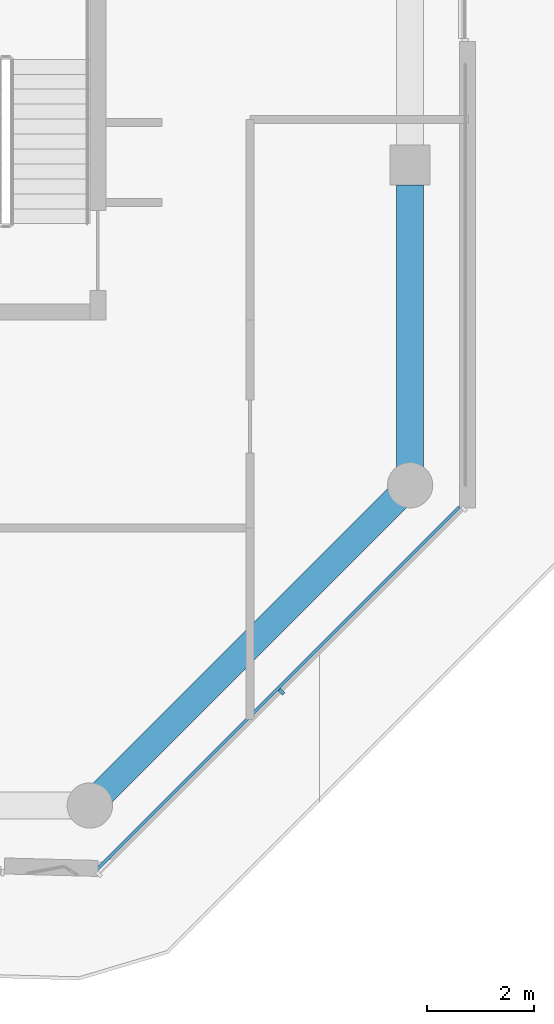
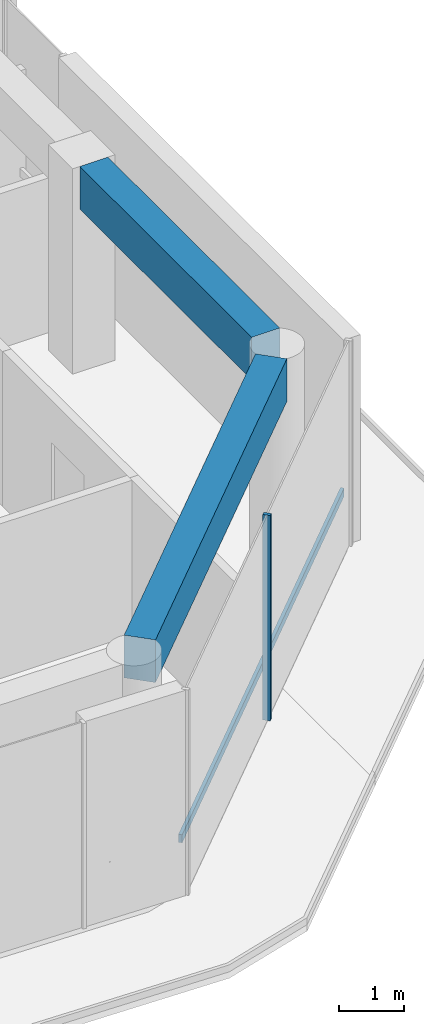
# One storey, part 3 of 18: 2 beams, 2 members, 1 element without a shape of its own.
"""IFC4 building model written with IfcOpenShell, lengths in metres."""

from ifc_helpers import new_model, si_unit, direction, frame, origin, origin_2d, place, context, subcontext, project, spatial, rectangle, extrude, material, layer, layer_set, material_profile, profile_set, type_object, element, aggregate, save


model = new_model("IFC4")

# Units and contexts
model_context = context("Model", 3, precision=1e-05, world=origin(), true_north=direction((0.0, 1.0)))
body_context = subcontext(model_context, "Body", "Model", "MODEL_VIEW")
ifc_project = project(units=[si_unit("LENGTHUNIT", "METRE"), si_unit("AREAUNIT", "SQUARE_METRE"), si_unit("VOLUMEUNIT", "CUBIC_METRE"), si_unit("PLANEANGLEUNIT", "RADIAN"), si_unit("MASSUNIT", "GRAM", prefix="KILO")], contexts=[model_context])

# Site, building, storey
site_placement = place(None, origin())
site = spatial("IfcSite", under=ifc_project, at=site_placement, CompositionType="ELEMENT")
building_placement = place(site_placement, origin())
building = spatial("IfcBuilding", under=site, at=building_placement, Name="Welwitschia Terrace Campus", CompositionType="ELEMENT")
storey_placement = place(building_placement, frame((0.0, 0.0, 281.0)))
storey = spatial("IfcBuildingStorey", under=building, at=storey_placement, Name="L62", CompositionType="ELEMENT", Elevation=281.0)

# Curtain wall, member
ifc_material_1 = material(Name="Bronze anodised aluminium", Category="aluminium")
ifc_layer = layer(ifc_material_1, 0.1201171875)
ifc_layer_set = layer_set([ifc_layer], Name="Bronze anodised aluminium")
curtain_wall_type = type_object("IfcCurtainWallType", Name="Curtain wall CW2 tower 6000", PredefinedType="NOTDEFINED", material=ifc_layer_set)
curtain_wall_placement = place(storey_placement, origin())
curtain_wall = element("IfcCurtainWall", 1, at=curtain_wall_placement, inside=storey, type_object=curtain_wall_type, Name="CW L62.5.0", PredefinedType="NOTDEFINED")
ifc_material_2 = material(Name="Bronze anodised aluminium", Category="aluminium")
ifc_material_profile_1 = material_profile(ifc_material_2, rectangle(XDim=0.1201171875, YDim=0.06005859375, at=origin_2d()))
ifc_profile_set_1 = profile_set([ifc_material_profile_1], Name="Bronze anodised aluminium")
member_type_1 = type_object("IfcMemberType", Name="Mullion 60x120", PredefinedType="MULLION", material=ifc_profile_set_1)
member_1_placement = place(storey_placement, frame((27.58935546875, -1.8671875, 0.0), z_axis=(0.0, 0.0, 1.0), x_axis=(-0.707106781187, 0.707106781187, 0.0)))
member_1 = element("IfcMember", 2, at=member_1_placement, type_object=member_type_1, Name="Mullion L62.5.0.1", PredefinedType="MULLION", context=body_context, shape_type="SweptSolid", body=[
    extrude(rectangle(XDim=0.1201171875, YDim=0.06005859375, at=origin_2d()), origin(), (0.0, 0.0, 1.0), 3.85009765625),
])

# Beams
ifc_material_3 = material(Name="Concrete C50/60", Category="concrete")
ifc_material_profile_2 = material_profile(ifc_material_3, rectangle(XDim=0.5, YDim=0.800048828125, at=origin_2d()))
ifc_profile_set_2 = profile_set([ifc_material_profile_2], Name="Concrete C50/60")
beam_type = type_object("IfcBeamType", Name="Ring spandrel 500x800", PredefinedType="SPANDREL", material=ifc_profile_set_2)
beam_1_placement = place(storey_placement, frame((24.24365234375, -3.75634765625, 3.449951171875), z_axis=(0.707106781187, 0.707106781187, 0.0), x_axis=(-0.707106781187, 0.707106781187, 0.0)))
element("IfcBeam", 3, at=beam_1_placement, inside=storey, type_object=beam_type, Name="Spandrel SP4", PredefinedType="SPANDREL", context=body_context, shape_type="SweptSolid", body=[
    extrude(rectangle(XDim=0.5, YDim=0.800048828125, at=origin_2d()), origin(), (0.0, 0.0, 1.0), 7.796142578125),
])
beam_2_placement = place(storey_placement, frame((30.0, 2.344482421875, 3.449951171875), z_axis=(0.0, 1.0, 0.0), x_axis=(-1.0, 0.0, 0.0)))
element("IfcBeam", 4, at=beam_2_placement, inside=storey, type_object=beam_type, Name="Spandrel SP4", PredefinedType="SPANDREL", context=body_context, shape_type="SweptSolid", body=[
    extrude(rectangle(XDim=0.5, YDim=0.800048828125, at=origin_2d()), origin(), (0.0, 0.0, 1.0), 5.280029296875),
])

# Member
ifc_material_4 = material(Name="Bronze anodised aluminium", Category="aluminium")
ifc_material_profile_3 = material_profile(ifc_material_4, rectangle(XDim=0.06005859375, YDim=0.14990234375, at=origin_2d()))
ifc_profile_set_3 = profile_set([ifc_material_profile_3], Name="Bronze anodised aluminium")
member_type_2 = type_object("IfcMemberType", Name="Transom 60x150", PredefinedType="USERDEFINED", material=ifc_profile_set_3)
member_2_placement = place(storey_placement, frame((24.12744140625, -5.201904296875, 1.0), z_axis=(0.707106781187, 0.707106781187, 0.0), x_axis=(-0.707106781187, 0.707106781187, 0.0)))
member_2 = element("IfcMember", 5, at=member_2_placement, type_object=member_type_2, Name="Transom L62.5.0", ObjectType="TRANSOM", PredefinedType="USERDEFINED", context=body_context, shape_type="SweptSolid", body=[
    extrude(rectangle(XDim=0.06005859375, YDim=0.14990234375, at=origin_2d()), origin(), (0.0, 0.0, 1.0), 9.611572265625),
])

aggregate(curtain_wall, [member_1, member_2])

save(model, "model.ifc")
